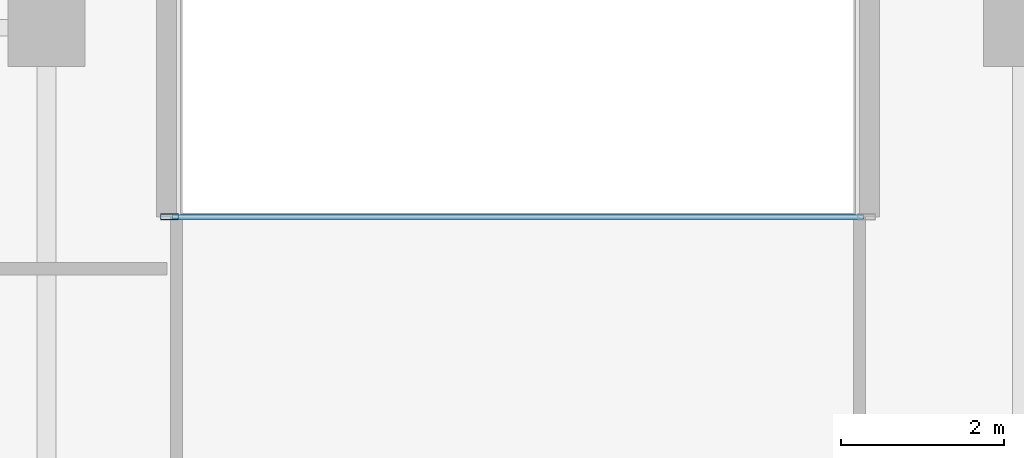
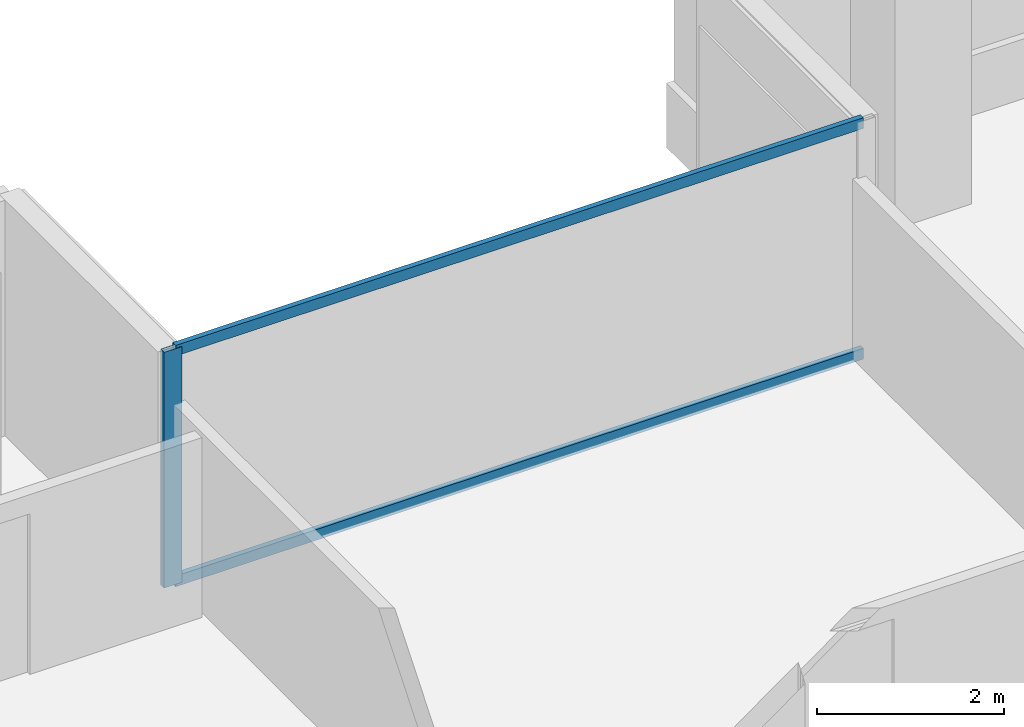
# One storey, part 6 of 23: 3 members, 1 element without a shape of its own.
"""IFC4 building model written with IfcOpenShell, lengths in metres."""

from ifc_helpers import new_model, si_unit, direction, frame, origin, origin_2d, place, context, subcontext, project, spatial, hollow_rectangle, extrude, material, layer, layer_set, material_profile, profile_set, type_object, element, aggregate, save


model = new_model("IFC4")

# Units and contexts
model_context = context("Model", 3, precision=1e-05, world=origin(), true_north=direction((0.0, 1.0)))
body_context = subcontext(model_context, "Body", "Model", "MODEL_VIEW")
ifc_project = project(units=[si_unit("LENGTHUNIT", "METRE"), si_unit("AREAUNIT", "SQUARE_METRE"), si_unit("VOLUMEUNIT", "CUBIC_METRE"), si_unit("PLANEANGLEUNIT", "RADIAN"), si_unit("MASSUNIT", "GRAM", prefix="KILO")], contexts=[model_context])

# Site, building, storey
site_placement = place(None, origin())
site = spatial("IfcSite", under=ifc_project, at=site_placement, CompositionType="ELEMENT")
building_placement = place(site_placement, origin())
building = spatial("IfcBuilding", under=site, at=building_placement, Name="Tanjung Sevakor Pilgrim Tower", CompositionType="ELEMENT")
storey_placement = place(building_placement, frame((0.0, 0.0, 105.27001953125)))
storey = spatial("IfcBuildingStorey", under=building, at=storey_placement, Name="L29", CompositionType="ELEMENT", Elevation=105.27001953125)

# Curtain wall, members
ifc_material_1 = material(Name="Aluminium 6063-T6 and Low-E Glass", Category="aluminium")
ifc_layer = layer(ifc_material_1, 0.179931640625)
ifc_layer_set = layer_set([ifc_layer], Name="CW-SYS-CLEFT")
curtain_wall_type = type_object("IfcCurtainWallType", Name="CW-SYS-CLEFT", PredefinedType="NOTDEFINED", material=ifc_layer_set)
curtain_wall_placement = place(storey_placement, origin())
curtain_wall = element("IfcCurtainWall", 1, at=curtain_wall_placement, inside=storey, type_object=curtain_wall_type, Name="L29 Curtain Wall CW-CLF-L29-10", PredefinedType="NOTDEFINED")
ifc_material_2 = material(Name="Aluminium 6063-T6", Category="aluminium")
ifc_material_profile_1 = material_profile(ifc_material_2, hollow_rectangle(XDim=0.074951171875, YDim=0.219970703125, WallThickness=0.0048828125, at=origin_2d()))
ifc_profile_set_1 = profile_set([ifc_material_profile_1], Name="Aluminium 6063-T6")
member_type_1 = type_object("IfcMemberType", Name="TYPE-CWM-2", PredefinedType="MULLION", material=ifc_profile_set_1)
member_1_placement = place(storey_placement, frame((43.512451171875, 54.074951171875, 0.0), z_axis=(0.0, 0.0, 1.0), x_axis=(0.0, -1.0, 0.0)))
member_1 = element("IfcMember", 2, at=member_1_placement, type_object=member_type_1, Name="CW-CLF mullion 2", PredefinedType="MULLION", context=body_context, shape_type="SweptSolid", body=[
    extrude(hollow_rectangle(XDim=0.074951171875, YDim=0.219970703125, WallThickness=0.0048828125, at=origin_2d()), origin(), (0.0, 0.0, 1.0), 3.080078125),
])
ifc_material_3 = material(Name="Aluminium 6063-T6", Category="aluminium")
ifc_material_profile_2 = material_profile(ifc_material_3, hollow_rectangle(XDim=0.06494140625, YDim=0.139892578125, WallThickness=0.00390625, at=origin_2d()))
ifc_profile_set_2 = profile_set([ifc_material_profile_2], Name="Aluminium 6063-T6")
member_type_2 = type_object("IfcMemberType", Name="TYPE-CWT-1", PredefinedType="USERDEFINED", material=ifc_profile_set_2)
member_2_placement = place(storey_placement, frame((52.050048828125, 54.074951171875, 0.032470703125), z_axis=(-1.0, 0.0, 0.0), x_axis=(0.0, -1.0, 0.0)))
member_2 = element("IfcMember", 3, at=member_2_placement, type_object=member_type_2, Name="CW-CLF transom 1.1", ObjectType="TRANSOM", PredefinedType="USERDEFINED", context=body_context, shape_type="SweptSolid", body=[
    extrude(hollow_rectangle(XDim=0.06494140625, YDim=0.139892578125, WallThickness=0.00390625, at=origin_2d()), origin(), (0.0, 0.0, 1.0), 8.5),
])
member_3_placement = place(storey_placement, frame((52.050048828125, 54.074951171875, 3.04736328125), z_axis=(-1.0, 0.0, 0.0), x_axis=(0.0, -1.0, 0.0)))
member_3 = element("IfcMember", 4, at=member_3_placement, type_object=member_type_2, Name="CW-CLF transom 1.2", ObjectType="TRANSOM", PredefinedType="USERDEFINED", context=body_context, shape_type="SweptSolid", body=[
    extrude(hollow_rectangle(XDim=0.06494140625, YDim=0.139892578125, WallThickness=0.00390625, at=origin_2d()), origin(), (0.0, 0.0, 1.0), 8.5),
])
aggregate(curtain_wall, [member_1, member_2, member_3])

save(model, "model.ifc")
